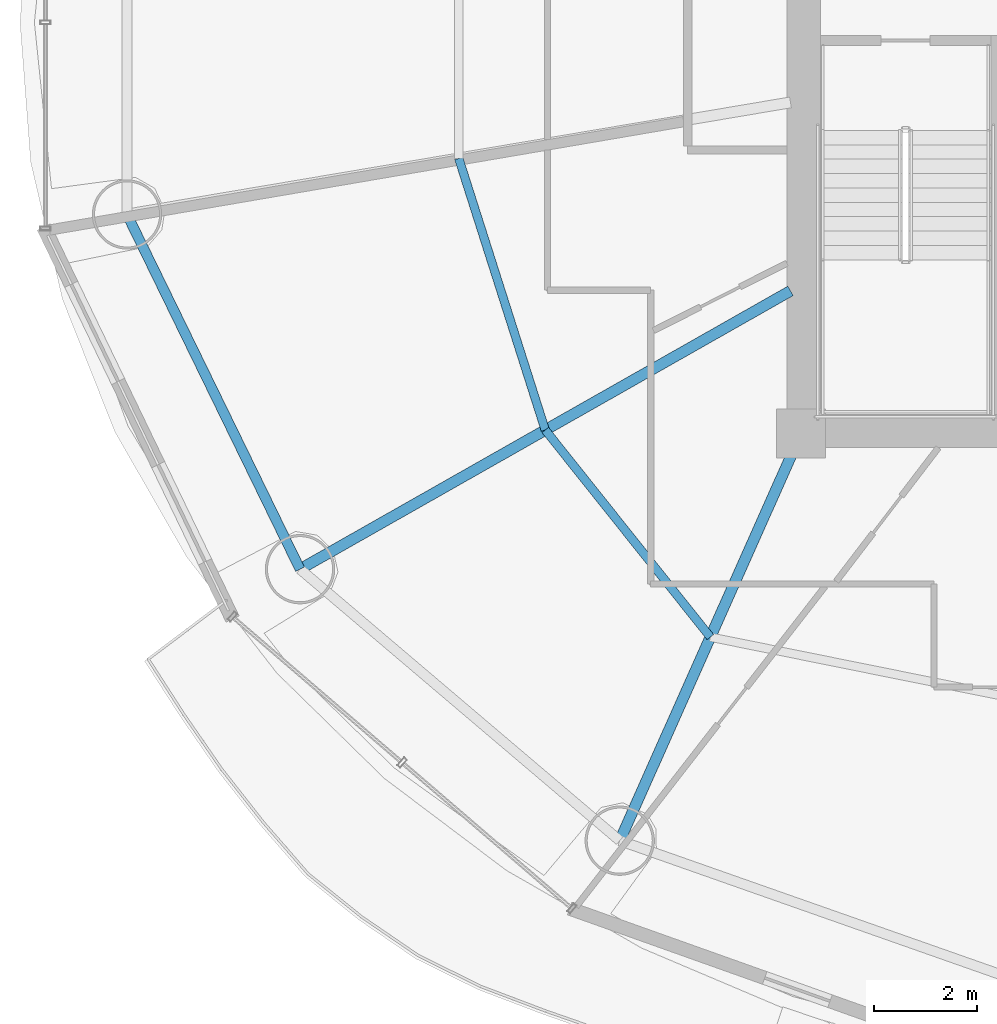
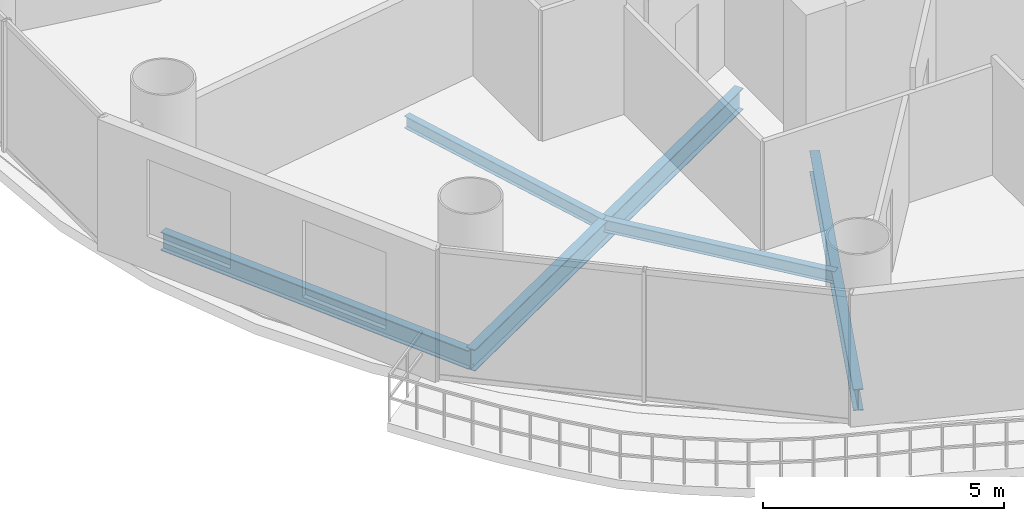
# One storey, part 3 of 26: 5 beams.
"""IFC4 building model written with IfcOpenShell, lengths in metres."""

from ifc_helpers import new_model, si_unit, direction, frame, origin, origin_2d, place, context, subcontext, project, spatial, i_section, extrude, material, material_profile, profile_set, type_object, element, save


model = new_model("IFC4")

# Units and contexts
model_context = context("Model", 3, precision=1e-05, world=origin(), true_north=direction((-0.2419218956, 0.970295726276)))
body_context = subcontext(model_context, "Body", "Model", "MODEL_VIEW")
ifc_project = project(units=[si_unit("LENGTHUNIT", "METRE"), si_unit("AREAUNIT", "SQUARE_METRE"), si_unit("VOLUMEUNIT", "CUBIC_METRE"), si_unit("PLANEANGLEUNIT", "RADIAN"), si_unit("MASSUNIT", "GRAM", prefix="KILO")], contexts=[model_context])

# Site, building, storey
site_placement = place(None, origin())
site = spatial("IfcSite", under=ifc_project, at=site_placement, CompositionType="ELEMENT")
building_placement = place(site_placement, origin())
building = spatial("IfcBuilding", under=site, at=building_placement, Name="Cobrevalo Terracotta Tower", CompositionType="ELEMENT")
storey_placement = place(building_placement, frame((0.0, 0.0, 135.39990234375)))
storey = spatial("IfcBuildingStorey", under=building, at=storey_placement, Name="L35", CompositionType="ELEMENT", Elevation=135.39990234375)

# Beams
ifc_material = material(Name="Steel S355", Category="steel")
ifc_material_profile_1 = material_profile(ifc_material, i_section(OverallWidth=0.2109375, OverallDepth=0.5390625, WebThickness=0.01171875, FlangeThickness=0.018798828125, at=origin_2d()), Name="W 530x109")
ifc_profile_set_1 = profile_set([ifc_material_profile_1], Name="Steel S355")
beam_type_1 = type_object("IfcBeamType", Name="Structural Beam W 530x109 (Steel S355)", PredefinedType="BEAM", material=ifc_profile_set_1)
beam_1_placement = place(storey_placement, frame((19.250244140625, 16.160888671875, -0.539306640625), z_axis=(0.869743726706, 0.493503647257, 0.0), x_axis=(-0.493503647257, 0.869743726706, 0.0)))
element("IfcBeam", 1, at=beam_1_placement, inside=storey, type_object=beam_type_1, Name="L35 radial floor girder 10", PredefinedType="BEAM", context=body_context, shape_type="SweptSolid", body=[
    extrude(i_section(OverallWidth=0.2109375, OverallDepth=0.5390625, WebThickness=0.01171875, FlangeThickness=0.018798828125, at=origin_2d()), origin(), (0.0, 0.0, 1.0), 10.97412109375),
])
beam_2_placement = place(storey_placement, frame((25.471923828125, 10.87744140625, -0.539306640625), z_axis=(0.406804395691, 0.913515289224, 0.0), x_axis=(-0.913515289224, 0.406804395691, 0.0)))
element("IfcBeam", 2, at=beam_2_placement, inside=storey, type_object=beam_type_1, Name="L35 radial floor girder 11", PredefinedType="BEAM", context=body_context, shape_type="SweptSolid", body=[
    extrude(i_section(OverallWidth=0.2109375, OverallDepth=0.5390625, WebThickness=0.01171875, FlangeThickness=0.018798828125, at=origin_2d()), origin(), (0.0, 0.0, 1.0), 8.672607421875),
])
ifc_material_profile_2 = material_profile(ifc_material, i_section(OverallWidth=0.1650390625, OverallDepth=0.31005859375, WebThickness=0.005859375, FlangeThickness=0.009765625, at=origin_2d()), Name="W 310x38.7")
ifc_profile_set_2 = profile_set([ifc_material_profile_2], Name="Steel S355")
beam_type_2 = type_object("IfcBeamType", Name="Structural Joist W 310x38.7 (Steel S355)", PredefinedType="JOIST", material=ifc_profile_set_2)
beam_3_placement = place(storey_placement, frame((22.339111328125, 24.154541015625, -0.4248046875), z_axis=(0.303497928386, -0.952832098255, 0.0), x_axis=(0.952832098255, 0.303497928386, 0.0)))
element("IfcBeam", 3, at=beam_3_placement, inside=storey, type_object=beam_type_2, Name="L35 circumferential secondary floor joist 09", PredefinedType="JOIST", context=body_context, shape_type="SweptSolid", body=[
    extrude(i_section(OverallWidth=0.1650390625, OverallDepth=0.31005859375, WebThickness=0.005859375, FlangeThickness=0.009765625, at=origin_2d()), origin(), (0.0, 0.0, 1.0), 5.54736328125),
])
beam_4_placement = place(storey_placement, frame((24.022705078125, 18.868896484375, -0.4248046875), z_axis=(0.623382939397, -0.781916690492, 0.0), x_axis=(0.781916690492, 0.623382939397, 0.0)))
element("IfcBeam", 4, at=beam_4_placement, inside=storey, type_object=beam_type_2, Name="L35 circumferential secondary floor joist 10", PredefinedType="JOIST", context=body_context, shape_type="SweptSolid", body=[
    extrude(i_section(OverallWidth=0.1650390625, OverallDepth=0.31005859375, WebThickness=0.005859375, FlangeThickness=0.009765625, at=origin_2d()), origin(), (0.0, 0.0, 1.0), 5.154296875),
])
ifc_material_profile_3 = material_profile(ifc_material, i_section(OverallWidth=0.194091796875, OverallDepth=0.468994140625, WebThickness=0.011474609375, FlangeThickness=0.0205078125, at=origin_2d()), Name="W 460x106")
ifc_profile_set_3 = profile_set([ifc_material_profile_3], Name="Steel S355")
beam_type_3 = type_object("IfcBeamType", Name="Structural Spandrel W 460x106 (Steel S355)", PredefinedType="SPANDREL", material=ifc_profile_set_3)
beam_5_placement = place(storey_placement, frame((15.88330078125, 23.06396484375, -0.50439453125), z_axis=(0.438380418332, -0.898789524206, 0.0), x_axis=(0.898789524206, 0.438380418332, 0.0)))
element("IfcBeam", 5, at=beam_5_placement, inside=storey, type_object=beam_type_3, Name="L35 perimeter ring spandrel 09", PredefinedType="SPANDREL", context=body_context, shape_type="SweptSolid", body=[
    extrude(i_section(OverallWidth=0.194091796875, OverallDepth=0.468994140625, WebThickness=0.011474609375, FlangeThickness=0.0205078125, at=origin_2d()), origin(), (0.0, 0.0, 1.0), 7.680419921875),
])

save(model, "model.ifc")
